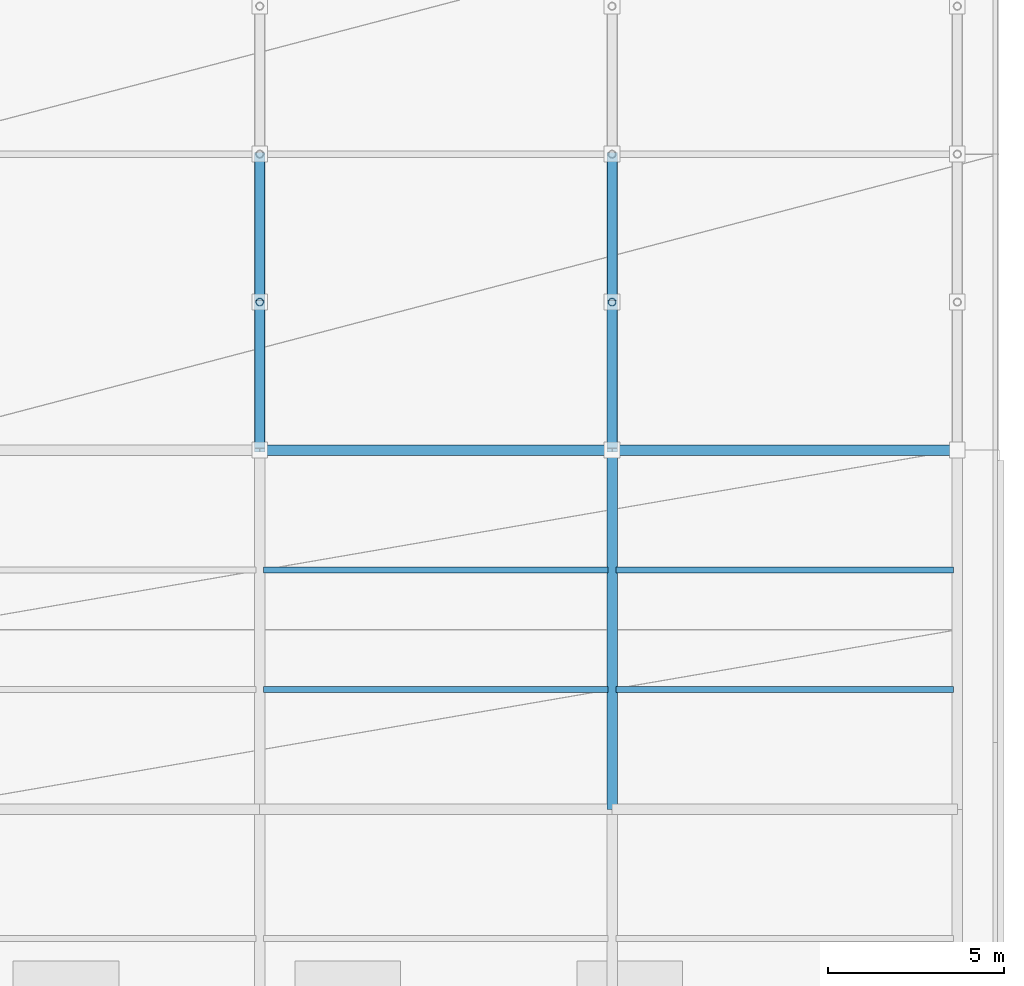
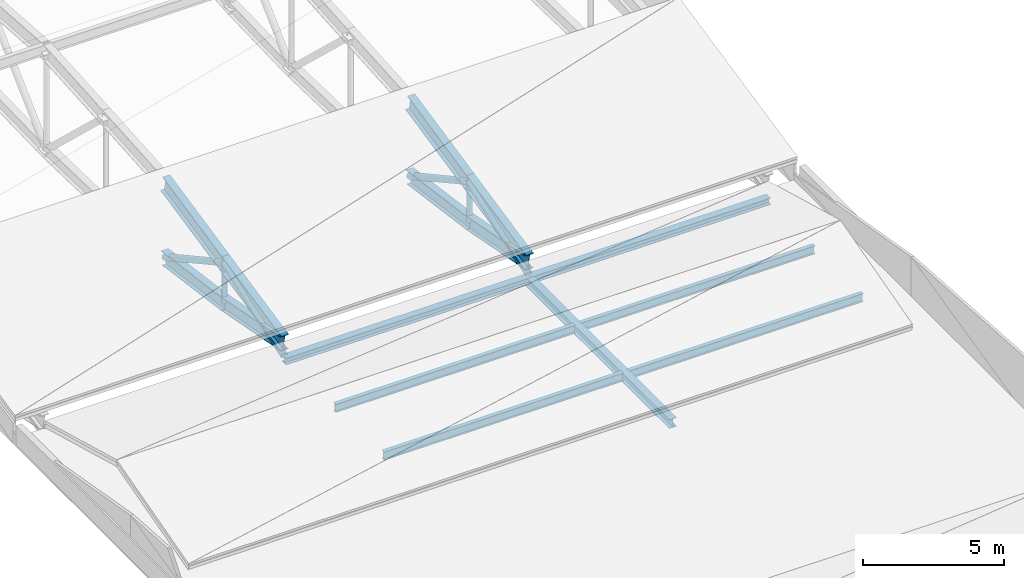
# One storey, part 48 of 87: 15 beams, 6 members.
"""IFC4 building model written with IfcOpenShell, lengths in metres."""

from ifc_helpers import new_model, si_unit, direction, frame, origin, origin_2d, place, context, subcontext, project, spatial, hollow_circle, i_section, extrude, material, material_profile, profile_set, type_object, element, save


model = new_model("IFC4")

# Units and contexts
model_context = context("Model", 3, precision=1e-05, world=origin(), true_north=direction((0.0, 1.0)))
body_context = subcontext(model_context, "Body", "Model", "MODEL_VIEW")
ifc_project = project(units=[si_unit("LENGTHUNIT", "METRE"), si_unit("AREAUNIT", "SQUARE_METRE"), si_unit("VOLUMEUNIT", "CUBIC_METRE"), si_unit("PLANEANGLEUNIT", "RADIAN"), si_unit("MASSUNIT", "GRAM", prefix="KILO")], contexts=[model_context])

# Site, building, storey
site_placement = place(None, origin())
site = spatial("IfcSite", under=ifc_project, at=site_placement, CompositionType="ELEMENT")
building_placement = place(site_placement, origin())
building = spatial("IfcBuilding", under=site, at=building_placement, Name="Sohan Crest Arena", CompositionType="ELEMENT")
storey_placement = place(building_placement, frame((0.0, 0.0, 18.0)))
storey = spatial("IfcBuildingStorey", under=building, at=storey_placement, Name="L04", CompositionType="ELEMENT", Elevation=18.0)

# Beams
ifc_material = material(Name="Steel S355", Category="steel")
ifc_material_profile_1 = material_profile(ifc_material, i_section(OverallWidth=0.169921875, OverallDepth=0.360107421875, WebThickness=0.008056640625, FlangeThickness=0.0126953125, at=origin_2d()), Name="IPE 360")
ifc_profile_set_1 = profile_set([ifc_material_profile_1], Name="Steel S355")
beam_type_1 = type_object("IfcBeamType", Name="STR-BM-B02", PredefinedType="JOIST", material=ifc_profile_set_1)
for number, where, z_axis, x_axis, name in (
    (1, (206.110107421875, 70.39990234375, -0.419921875), (1.0, 0.0, 0.0), (0.0, 1.0, 0.0), "Structural beam J-L04-2418"),
    (2, (206.110107421875, 73.800048828125, -0.419921875), (1.0, 0.0, 0.0), (0.0, 1.0, 0.0), "Structural beam J-L04-2419"),
):
    element("IfcBeam", number, at=place(storey_placement, frame(where, z_axis=z_axis, x_axis=x_axis)), inside=storey, type_object=beam_type_1, Name=name, PredefinedType="JOIST", context=body_context, shape_type="SweptSolid", body=[
        extrude(i_section(OverallWidth=0.169921875, OverallDepth=0.360107421875, WebThickness=0.008056640625, FlangeThickness=0.0126953125, at=origin_2d()), origin(), (0.0, 0.0, 1.0), 9.77978515625),
    ])
for number, where, z_axis, x_axis, name in (
    (3, (216.110107421875, 70.39990234375, -0.419921875), (1.0, 0.0, 0.0), (0.0, 1.0, 0.0), "Structural beam J-L04-2421"),
    (4, (216.110107421875, 73.800048828125, -0.419921875), (1.0, 0.0, 0.0), (0.0, 1.0, 0.0), "Structural beam J-L04-2422"),
):
    element("IfcBeam", number, at=place(storey_placement, frame(where, z_axis=z_axis, x_axis=x_axis)), inside=storey, type_object=beam_type_1, Name=name, PredefinedType="JOIST", context=body_context, shape_type="SweptSolid", body=[
        extrude(i_section(OverallWidth=0.169921875, OverallDepth=0.360107421875, WebThickness=0.008056640625, FlangeThickness=0.0126953125, at=origin_2d()), origin(), (0.0, 0.0, 1.0), 9.579833984375),
    ])
ifc_material_profile_2 = material_profile(ifc_material, i_section(OverallWidth=0.300048828125, OverallDepth=0.2900390625, WebThickness=0.008544921875, FlangeThickness=0.013916015625, at=origin_2d()), Name="HEA 300")
ifc_profile_set_2 = profile_set([ifc_material_profile_2], Name="Steel S355")
beam_type_2 = type_object("IfcBeamType", Name="STR-BM-B08", PredefinedType="BEAM", material=ifc_profile_set_2)
beam_1_placement = place(storey_placement, frame((206.0, 77.199951171875, -0.385009765625), z_axis=(1.0, 0.0, 0.0), x_axis=(0.0, 1.0, 0.0)))
element("IfcBeam", 5, at=beam_1_placement, inside=storey, type_object=beam_type_2, Name="Structural beam G-L04-2424", PredefinedType="BEAM", context=body_context, shape_type="SweptSolid", body=[
    extrude(i_section(OverallWidth=0.300048828125, OverallDepth=0.2900390625, WebThickness=0.008544921875, FlangeThickness=0.013916015625, at=origin_2d()), origin(), (0.0, 0.0, 1.0), 10.0),
])
beam_2_placement = place(storey_placement, frame((216.0, 77.199951171875, -0.385009765625), z_axis=(1.0, 0.0, 0.0), x_axis=(0.0, 1.0, 0.0)))
element("IfcBeam", 6, at=beam_2_placement, inside=storey, type_object=beam_type_2, Name="Structural beam G-L04-2425", PredefinedType="BEAM", context=body_context, shape_type="SweptSolid", body=[
    extrude(i_section(OverallWidth=0.300048828125, OverallDepth=0.2900390625, WebThickness=0.008544921875, FlangeThickness=0.013916015625, at=origin_2d()), origin(), (0.0, 0.0, 1.0), 9.800048828125),
])
ifc_material_profile_3 = material_profile(ifc_material, i_section(OverallWidth=0.300048828125, OverallDepth=0.389892578125, WebThickness=0.010986328125, FlangeThickness=0.01904296875, at=origin_2d()), Name="HEA 400")
ifc_profile_set_3 = profile_set([ifc_material_profile_3], Name="Steel S355")
beam_type_3 = type_object("IfcBeamType", Name="STR-BM-B09", PredefinedType="BEAM", material=ifc_profile_set_3)
beam_3_placement = place(storey_placement, frame((216.0, 67.0, -0.43505859375), z_axis=(0.0, 1.0, 0.0), x_axis=(-1.0, 0.0, 0.0)))
element("IfcBeam", 7, at=beam_3_placement, inside=storey, type_object=beam_type_3, Name="Structural beam G-L04-2392", PredefinedType="BEAM", context=body_context, shape_type="SweptSolid", body=[
    extrude(i_section(OverallWidth=0.300048828125, OverallDepth=0.389892578125, WebThickness=0.010986328125, FlangeThickness=0.01904296875, at=origin_2d()), origin(), (0.0, 0.0, 1.0), 10.199951171875),
])
ifc_material_profile_4 = material_profile(ifc_material, i_section(OverallWidth=0.300048828125, OverallDepth=0.590087890625, WebThickness=0.012939453125, FlangeThickness=0.02490234375, at=origin_2d()), Name="HEA 600")
ifc_profile_set_4 = profile_set([ifc_material_profile_4], Name="Steel S355")
beam_type_4 = type_object("IfcBeamType", Name="STR-BM-B11", PredefinedType="BEAM", material=ifc_profile_set_4)
beam_4_placement = place(storey_placement, frame((206.0, 77.199951171875, 0.35009765625), z_axis=(0.0, 0.981945733642, -0.189162829814), x_axis=(-1.0, 0.0, 0.0)))
element("IfcBeam", 8, at=beam_4_placement, inside=storey, type_object=beam_type_4, Name="Structural beam VAB-L04-2443", PredefinedType="BEAM", context=body_context, shape_type="SweptSolid", body=[
    extrude(i_section(OverallWidth=0.300048828125, OverallDepth=0.590087890625, WebThickness=0.012939453125, FlangeThickness=0.02490234375, at=origin_2d()), origin(), (0.0, 0.0, 1.0), 4.277099609375),
])
beam_5_placement = place(storey_placement, frame((206.0, 81.39990234375, -0.458984375), z_axis=(0.0, 0.990659791804, -0.136356799988), x_axis=(-1.0, 0.0, 0.0)))
element("IfcBeam", 9, at=beam_5_placement, inside=storey, type_object=beam_type_4, Name="Structural beam VAB-L04-2445", PredefinedType="BEAM", context=body_context, shape_type="SweptSolid", body=[
    extrude(i_section(OverallWidth=0.300048828125, OverallDepth=0.590087890625, WebThickness=0.012939453125, FlangeThickness=0.02490234375, at=origin_2d()), origin(), (0.0, 0.0, 1.0), 4.23974609375),
])
beam_6_placement = place(storey_placement, frame((216.0, 77.199951171875, 0.35009765625), z_axis=(0.0, 0.981945733642, -0.189162829814), x_axis=(-1.0, 0.0, 0.0)))
element("IfcBeam", 10, at=beam_6_placement, inside=storey, type_object=beam_type_4, Name="Structural beam VAB-L04-2459", PredefinedType="BEAM", context=body_context, shape_type="SweptSolid", body=[
    extrude(i_section(OverallWidth=0.300048828125, OverallDepth=0.590087890625, WebThickness=0.012939453125, FlangeThickness=0.02490234375, at=origin_2d()), origin(), (0.0, 0.0, 1.0), 4.277099609375),
])
beam_7_placement = place(storey_placement, frame((216.0, 81.39990234375, -0.458984375), z_axis=(0.0, 0.990659791804, -0.136356799988), x_axis=(-1.0, 0.0, 0.0)))
element("IfcBeam", 11, at=beam_7_placement, inside=storey, type_object=beam_type_4, Name="Structural beam VAB-L04-2461", PredefinedType="BEAM", context=body_context, shape_type="SweptSolid", body=[
    extrude(i_section(OverallWidth=0.300048828125, OverallDepth=0.590087890625, WebThickness=0.012939453125, FlangeThickness=0.02490234375, at=origin_2d()), origin(), (0.0, 0.0, 1.0), 4.23974609375),
])
ifc_material_profile_5 = material_profile(ifc_material, i_section(OverallWidth=0.300048828125, OverallDepth=0.699951171875, WebThickness=0.01708984375, FlangeThickness=0.031982421875, at=origin_2d()), Name="HEB 700")
ifc_profile_set_5 = profile_set([ifc_material_profile_5], Name="Steel S355")
beam_type_5 = type_object("IfcBeamType", Name="STR-BM-B16", PredefinedType="BEAM", material=ifc_profile_set_5)
beam_8_placement = place(storey_placement, frame((206.0, 77.199951171875, 0.3701171875), z_axis=(0.0, 0.977806572858, 0.209509680146), x_axis=(-1.0, 0.0, 0.0)))
element("IfcBeam", 12, at=beam_8_placement, inside=storey, type_object=beam_type_5, Name="Structural beam VA-L04-2442", PredefinedType="BEAM", context=body_context, shape_type="SweptSolid", body=[
    extrude(i_section(OverallWidth=0.300048828125, OverallDepth=0.699951171875, WebThickness=0.01708984375, FlangeThickness=0.031982421875, at=origin_2d()), origin(), (0.0, 0.0, 1.0), 4.295166015625),
])
beam_9_placement = place(storey_placement, frame((206.0, 81.39990234375, 1.27001953125), z_axis=(0.0, 0.977809067572, 0.209498036682), x_axis=(-1.0, 0.0, 0.0)))
element("IfcBeam", 13, at=beam_9_placement, inside=storey, type_object=beam_type_5, Name="Structural beam VA-L04-2444", PredefinedType="BEAM", context=body_context, shape_type="SweptSolid", body=[
    extrude(i_section(OverallWidth=0.300048828125, OverallDepth=0.699951171875, WebThickness=0.01708984375, FlangeThickness=0.031982421875, at=origin_2d()), origin(), (0.0, 0.0, 1.0), 4.29541015625),
])
beam_10_placement = place(storey_placement, frame((216.0, 77.199951171875, 0.3701171875), z_axis=(0.0, 0.977806572858, 0.209509680146), x_axis=(-1.0, 0.0, 0.0)))
element("IfcBeam", 14, at=beam_10_placement, inside=storey, type_object=beam_type_5, Name="Structural beam VA-L04-2458", PredefinedType="BEAM", context=body_context, shape_type="SweptSolid", body=[
    extrude(i_section(OverallWidth=0.300048828125, OverallDepth=0.699951171875, WebThickness=0.01708984375, FlangeThickness=0.031982421875, at=origin_2d()), origin(), (0.0, 0.0, 1.0), 4.295166015625),
])
beam_11_placement = place(storey_placement, frame((216.0, 81.39990234375, 1.27001953125), z_axis=(0.0, 0.977809067572, 0.209498036682), x_axis=(-1.0, 0.0, 0.0)))
element("IfcBeam", 15, at=beam_11_placement, inside=storey, type_object=beam_type_5, Name="Structural beam VA-L04-2460", PredefinedType="BEAM", context=body_context, shape_type="SweptSolid", body=[
    extrude(i_section(OverallWidth=0.300048828125, OverallDepth=0.699951171875, WebThickness=0.01708984375, FlangeThickness=0.031982421875, at=origin_2d()), origin(), (0.0, 0.0, 1.0), 4.29541015625),
])

# Members
ifc_material_profile_6 = material_profile(ifc_material, hollow_circle(Radius=0.109619140625, WallThickness=0.010009765625, at=origin_2d()), Name="CHS 219.1x10")
ifc_profile_set_6 = profile_set([ifc_material_profile_6], Name="Steel S355")
member_type_1 = type_object("IfcMemberType", Name="STR-MEM-BR01", PredefinedType="BRACE", material=ifc_profile_set_6)
for number, where, z_axis, x_axis, name in (
    (16, (206.0, 81.39990234375, -0.458984375), (0.0, 0.0, 1.0), (1.0, 0.0, 0.0), "Vault truss web strut VW-017"),
    (17, (216.0, 81.39990234375, -0.458984375), (0.0, 0.0, 1.0), (1.0, 0.0, 0.0), "Vault truss web strut VW-032"),
):
    element("IfcMember", number, at=place(storey_placement, frame(where, z_axis=z_axis, x_axis=x_axis)), inside=storey, type_object=member_type_1, Name=name, PredefinedType="BRACE", context=body_context, shape_type="SweptSolid", body=[
        extrude(hollow_circle(Radius=0.109619140625, WallThickness=0.010009765625, at=origin_2d()), origin(), (0.0, 0.0, 1.0), 1.72900390625),
    ])
ifc_material_profile_7 = material_profile(ifc_material, hollow_circle(Radius=0.136474609375, WallThickness=0.012451171875, at=origin_2d()), Name="CHS 273x12.5")
ifc_profile_set_7 = profile_set([ifc_material_profile_7], Name="Steel S355")
member_type_2 = type_object("IfcMemberType", Name="STR-MEM-BR02", PredefinedType="BRACE", material=ifc_profile_set_7)
member_1_placement = place(storey_placement, frame((206.0, 77.199951171875, -0.18994140625), z_axis=(0.0, 0.944559001123, 0.328341732646), x_axis=(-1.0, 0.0, 0.0)))
element("IfcMember", 18, at=member_1_placement, inside=storey, type_object=member_type_2, Name="Vault truss diagonal VDG-016", PredefinedType="BRACE", context=body_context, shape_type="SweptSolid", body=[
    extrude(hollow_circle(Radius=0.136474609375, WallThickness=0.012451171875, at=origin_2d()), origin(), (0.0, 0.0, 1.0), 4.446533203125),
])
member_2_placement = place(storey_placement, frame((206.0, 85.60009765625, -1.037109375), z_axis=(0.0, -0.876478234726, 0.481441485594), x_axis=(1.0, 0.0, 0.0)))
element("IfcMember", 19, at=member_2_placement, inside=storey, type_object=member_type_2, Name="Vault truss diagonal VDG-018", PredefinedType="BRACE", context=body_context, shape_type="SweptSolid", body=[
    extrude(hollow_circle(Radius=0.136474609375, WallThickness=0.012451171875, at=origin_2d()), origin(), (0.0, 0.0, 1.0), 4.792236328125),
])
member_3_placement = place(storey_placement, frame((216.0, 77.199951171875, -0.18994140625), z_axis=(0.0, 0.944559001123, 0.328341732646), x_axis=(-1.0, 0.0, 0.0)))
element("IfcMember", 20, at=member_3_placement, inside=storey, type_object=member_type_2, Name="Vault truss diagonal VDG-031", PredefinedType="BRACE", context=body_context, shape_type="SweptSolid", body=[
    extrude(hollow_circle(Radius=0.136474609375, WallThickness=0.012451171875, at=origin_2d()), origin(), (0.0, 0.0, 1.0), 4.446533203125),
])
member_4_placement = place(storey_placement, frame((216.0, 85.60009765625, -1.037109375), z_axis=(0.0, -0.876478234726, 0.481441485594), x_axis=(1.0, 0.0, 0.0)))
element("IfcMember", 21, at=member_4_placement, inside=storey, type_object=member_type_2, Name="Vault truss diagonal VDG-033", PredefinedType="BRACE", context=body_context, shape_type="SweptSolid", body=[
    extrude(hollow_circle(Radius=0.136474609375, WallThickness=0.012451171875, at=origin_2d()), origin(), (0.0, 0.0, 1.0), 4.792236328125),
])

save(model, "model.ifc")
